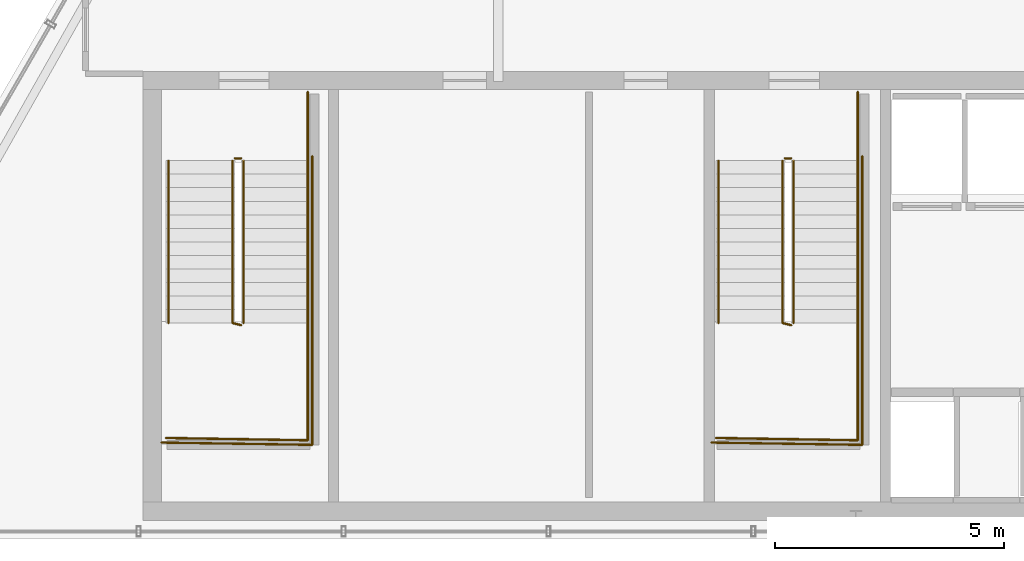
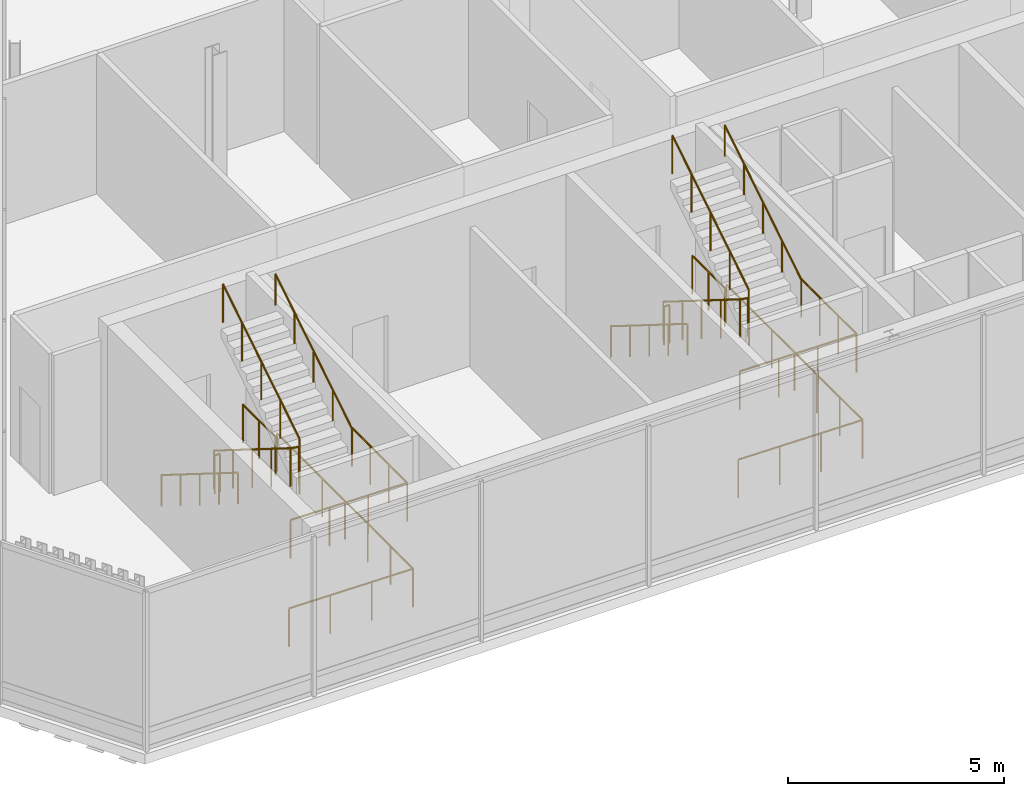
# One storey, part 23 of 25: 16 railings.
"""IFC4 building model written with IfcOpenShell, lengths in metres."""

import ifcopenshell
import ifcopenshell.guid

model = None  # the IFC model being written
_history = None  # IfcOwnerHistory: only IFC2X3 demands one
_inside = {}  # id of a spatial element -> (the spatial element, [elements in it])
_under = {}  # id of a project, library or spatial element -> (it, [spatial elements below it])
_declared = {}  # id of a project -> (the project, [libraries it declares])
_typed = {}  # id of a type object -> (the type object, [elements of that type])
_made_of = {}  # id of a material, layer set ... -> (it, [elements and type objects made of it])


def new_model(schema):
    """Start an empty IFC model of exactly this schema.

    Asked for "IFC4X3", IfcOpenShell would pick the latest addendum, in which some entities
    have other attributes; the version numbers below select the first issue.
    IFC2X3 requires an IfcOwnerHistory on every rooted entity: one is made here for all.
    """
    global model, _history
    if schema == "IFC4X3":
        model = ifcopenshell.file(schema_version=(4, 3, 0, 0))
    else:
        model = ifcopenshell.file(schema=schema)
    _inside.clear()
    _under.clear()
    _declared.clear()
    _typed.clear()
    _made_of.clear()
    _history = None
    if model.schema == "IFC2X3":
        org = make("IfcOrganization", Name="unknown")
        user = make(
            "IfcPersonAndOrganization",
            ThePerson=make("IfcPerson", FamilyName="unknown"),
            TheOrganization=org,
        )
        app = make(
            "IfcApplication",
            ApplicationDeveloper=org,
            Version="unknown",
            ApplicationFullName="unknown",
            ApplicationIdentifier="unknown",
        )
        _history = make(
            "IfcOwnerHistory",
            OwningUser=user,
            OwningApplication=app,
            ChangeAction="ADDED",
            CreationDate=0,
        )
    return model


def make(cls, **values):
    """One entity of the class cls with the attributes given. An attribute that is None is left unset."""
    return model.create_entity(
        cls, **{name: value for name, value in values.items() if value is not None}
    )


def rooted(cls, **values):
    """An entity with a GlobalId (a new one), such as an element, a storey or a relation."""
    return make(cls, GlobalId=ifcopenshell.guid.new(), OwnerHistory=_history, **values)


def si_unit(unit_type, name, prefix=None):
    """IfcSIUnit, for example si_unit("LENGTHUNIT", "METRE", prefix="MILLI")."""
    return make("IfcSIUnit", UnitType=unit_type, Prefix=prefix, Name=name)


def assignment(units):
    """IfcUnitAssignment: the units of a project."""
    return None if units is None else make("IfcUnitAssignment", Units=units)


def point(xyz):
    """IfcCartesianPoint."""
    return None if xyz is None else make("IfcCartesianPoint", Coordinates=xyz)


def direction(xyz):
    """IfcDirection."""
    return None if xyz is None else make("IfcDirection", DirectionRatios=xyz)


def frame(location, z_axis=None, x_axis=None):
    """IfcAxis2Placement3D, a coordinate frame: its origin and axes. An axis left out is left unset."""
    return make(
        "IfcAxis2Placement3D",
        Location=point(location),
        Axis=direction(z_axis),
        RefDirection=direction(x_axis),
    )


def frame_2d(location, x_axis=None):
    """IfcAxis2Placement2D, a coordinate frame in the plane: its origin and x axis."""
    return make(
        "IfcAxis2Placement2D", Location=point(location), RefDirection=direction(x_axis)
    )


def origin():
    """The frame at (0, 0, 0) with its axes left unset."""
    return frame((0.0, 0.0, 0.0))


def origin_2d():
    """The frame at (0, 0) in the plane with its x axis left unset."""
    return frame_2d((0.0, 0.0))


def place(relative_to, where):
    """IfcLocalPlacement: puts the frame where relative to a parent placement (None: the world)."""
    return make(
        "IfcLocalPlacement", PlacementRelTo=relative_to, RelativePlacement=where
    )


def context(
    kind, dimensions, precision=None, world=None, true_north=None, identifier=None
):
    """IfcGeometricRepresentationContext, for example the 3D "Model" context."""
    return make(
        "IfcGeometricRepresentationContext",
        ContextIdentifier=identifier,
        ContextType=kind,
        CoordinateSpaceDimension=dimensions,
        Precision=precision,
        WorldCoordinateSystem=world,
        TrueNorth=true_north,
    )


def subcontext(parent, identifier, kind, view, scale=None):
    """IfcGeometricRepresentationSubContext, for example "Body" below "Model"."""
    return make(
        "IfcGeometricRepresentationSubContext",
        ContextIdentifier=identifier,
        ContextType=kind,
        ParentContext=parent,
        TargetScale=scale,
        TargetView=view,
    )


def project(units=None, contexts=None):
    """IfcProject with its units and contexts."""
    return rooted(
        "IfcProject",
        Name="project",
        RepresentationContexts=contexts,
        UnitsInContext=assignment(units),
    )


def spatial(cls, under=None, at=None, **own):
    """A site, building, storey or space (cls), placed at a placement, below another one or the project."""
    s = rooted(cls, ObjectPlacement=at, **own)
    if under is not None:
        _under.setdefault(under.id(), (under, []))[1].append(s)
    return s


def profile(cls, at=None, kind="AREA", **sizes):
    """A parametric profile (cls). Its sizes go by their IFC names, for example OverallWidth=200.0."""
    return make(cls, ProfileType=kind, Position=at, **sizes)


def circle(**sizes):
    """IfcCircleProfileDef."""
    return profile("IfcCircleProfileDef", **sizes)


def extrude(swept, where, along, depth):
    """IfcExtrudedAreaSolid: the profile swept, set in the frame where, extruded along a direction by depth."""
    return make(
        "IfcExtrudedAreaSolid",
        SweptArea=swept,
        Position=where,
        ExtrudedDirection=direction(along),
        Depth=depth,
    )


def shape(context_of_items, identifier, shape_type, items):
    """IfcShapeRepresentation: the items that make up one representation, for example the "Body"."""
    return make(
        "IfcShapeRepresentation",
        ContextOfItems=context_of_items,
        RepresentationIdentifier=identifier,
        RepresentationType=shape_type,
        Items=items,
    )


def material(Name=None, Category=None):
    """IfcMaterial."""
    return make("IfcMaterial", Name=Name, Category=Category)


def layer(
    of_material, thickness, ventilated=None, Name=None, Category=None, Priority=None
):
    """IfcMaterialLayer: one layer of a wall or slab, of a material (None: an air gap)."""
    return make(
        "IfcMaterialLayer",
        Material=of_material,
        LayerThickness=thickness,
        IsVentilated=ventilated,
        Name=Name,
        Category=Category,
        Priority=Priority,
    )


def layer_set(layers, Name=None):
    """IfcMaterialLayerSet."""
    return make("IfcMaterialLayerSet", MaterialLayers=layers, LayerSetName=Name)


def made_of(thing, what):
    """Note that an element or type object is made of a material, layer set ...; save() writes the relation."""
    if what is not None:
        _made_of.setdefault(what.id(), (what, []))[1].append(thing)
    return thing


def type_object(cls, material=None, **own):
    """A type object (cls), such as IfcWallType, which elements share."""
    return made_of(rooted(cls, **own), material)


def element(
    cls,
    number,
    at=None,
    inside=None,
    cuts=None,
    type_object=None,
    material=None,
    context=None,
    identifier="Body",
    shape_type=None,
    held_by="IfcProductDefinitionShape",
    body=None,
    shapes=None,
    **own,
):
    """One element of the class cls, such as IfcWall. Its Tag is "e" and its number.

    at: its placement. inside: the storey or other place that contains it. cuts: it is an
    opening in that element (IfcRelVoidsElement). A single representation is given by context,
    identifier, shape_type and body (its items); several are given by shapes. held_by: the class
    of the entity that holds the representations. save() writes the other relations.
    """
    e = rooted(cls, Tag="e%d" % number, ObjectPlacement=at, **own)
    if body is not None:
        shapes = [shape(context, identifier, shape_type, body)]
    if shapes is not None:
        e.Representation = make(held_by, Representations=shapes)
    if inside is not None:
        _inside.setdefault(inside.id(), (inside, []))[1].append(e)
    if cuts is not None:
        rooted(
            "IfcRelVoidsElement", RelatingBuildingElement=cuts, RelatedOpeningElement=e
        )
    if type_object is not None:
        _typed.setdefault(type_object.id(), (type_object, []))[1].append(e)
    return made_of(e, material)


def aggregate(whole, parts):
    """IfcRelAggregates: a whole, such as a stair, and the parts it consists of."""
    return rooted("IfcRelAggregates", RelatingObject=whole, RelatedObjects=parts)


def save(model, path):
    """Write the relations noted so far, then the file.

    IfcRelAggregates (storeys below a building ...), IfcRelContainedInSpatialStructure (elements
    in a storey), IfcRelDefinesByType, IfcRelAssociatesMaterial and IfcRelDeclares: one each for
    every whole, place, type object, material and project.
    """
    for whole, parts in _under.values():
        aggregate(whole, parts)
    for where, things in _inside.values():
        rooted(
            "IfcRelContainedInSpatialStructure",
            RelatedElements=things,
            RelatingStructure=where,
        )
    for kind, things in _typed.values():
        rooted("IfcRelDefinesByType", RelatedObjects=things, RelatingType=kind)
    for what, things in _made_of.values():
        rooted("IfcRelAssociatesMaterial", RelatedObjects=things, RelatingMaterial=what)
    for by, libraries in _declared.values():
        rooted("IfcRelDeclares", RelatingContext=by, RelatedDefinitions=libraries)
    model.write(path)


model = new_model("IFC4")

# Units and contexts
model_context = context("Model", 3, precision=1e-05, world=origin(), true_north=direction((0.0, 1.0)))
body_context = subcontext(model_context, "Body", "Model", "MODEL_VIEW")
ifc_project = project(units=[si_unit("LENGTHUNIT", "METRE"), si_unit("AREAUNIT", "SQUARE_METRE"), si_unit("VOLUMEUNIT", "CUBIC_METRE"), si_unit("PLANEANGLEUNIT", "RADIAN"), si_unit("MASSUNIT", "GRAM", prefix="KILO")], contexts=[model_context])

# Site, building, storey
site_placement = place(None, origin())
site = spatial("IfcSite", under=ifc_project, at=site_placement, CompositionType="ELEMENT")
building_placement = place(site_placement, origin())
building = spatial("IfcBuilding", under=site, at=building_placement, Name="Ndaravel Arena Tower", CompositionType="ELEMENT")
storey_placement = place(building_placement, frame((0.0, 0.0, 298.5)))
storey = spatial("IfcBuildingStorey", under=building, at=storey_placement, Name="L73", CompositionType="ELEMENT", Elevation=298.5)

# Railings
ifc_material_1 = material(Name="Steel S355", Category="steel")
ifc_layer_1 = layer(ifc_material_1, 0.06005859375)
ifc_layer_set_1 = layer_set([ifc_layer_1], Name="Steel S355")
railing_type_1 = type_object("IfcRailingType", Name="RAIL-STAIR-GD1100", PredefinedType="GUARDRAIL", material=ifc_layer_set_1)
railing_1_placement = place(storey_placement, frame((28.39990234375, 13.25, 0.1845703125)))
element("IfcRailing", 1, at=railing_1_placement, inside=storey, type_object=railing_type_1, Name="L73 ST-1 stair guard 1", PredefinedType="GUARDRAIL", context=body_context, shape_type="SweptSolid", body=[
    extrude(circle(Radius=0.02392578125, at=origin_2d()), frame((0.0, 0.0, 1.076171875), z_axis=(0.0, -0.847696004112, 0.530482313194), x_axis=(1.0, 0.0, 0.0)), (0.0, 0.0, 1.0), 4.176025390625),
    extrude(circle(Radius=0.02392578125, at=origin_2d()), frame((0.0, -3.5400390625, 3.29150390625), z_axis=(0.967074537263, -0.25449329928, 0.0), x_axis=(0.25449329928, 0.967074537263, 0.0)), (0.0, 0.0, 1.0), 0.19677734375),
    extrude(circle(Radius=0.02099609375, at=origin_2d()), origin(), (0.0, 0.0, 1.0), 1.052001953125),
    extrude(circle(Radius=0.02099609375, at=origin_2d()), frame((0.0, -0.885009765625, 0.5537109375)), (0.0, 0.0, 1.0), 1.052001953125),
    extrude(circle(Radius=0.02099609375, at=origin_2d()), frame((0.0, -1.77001953125, 1.107666015625)), (0.0, 0.0, 1.0), 1.052001953125),
    extrude(circle(Radius=0.02099609375, at=origin_2d()), frame((0.0, -2.655029296875, 1.66162109375)), (0.0, 0.0, 1.0), 1.052001953125),
    extrude(circle(Radius=0.02099609375, at=origin_2d()), frame((0.0, -3.5400390625, 2.21533203125)), (0.0, 0.0, 1.0), 1.052001953125),
    extrude(circle(Radius=0.02099609375, at=origin_2d()), frame((0.190185546875, -3.590087890625, 2.21533203125)), (0.0, 0.0, 1.0), 1.052001953125),
])
railing_2_placement = place(storey_placement, frame((30.0400390625, 9.7099609375, 2.39990234375)))
element("IfcRailing", 2, at=railing_2_placement, inside=storey, type_object=railing_type_1, Name="L73 ST-1 stair guard 2", PredefinedType="GUARDRAIL", context=body_context, shape_type="SweptSolid", body=[
    extrude(circle(Radius=0.02392578125, at=origin_2d()), frame((0.0, 0.0, 1.076171875), z_axis=(0.0, -1.0, 0.0), x_axis=(1.0, 0.0, 0.0)), (0.0, 0.0, 1.0), 2.56005859375),
    extrude(circle(Radius=0.02392578125, at=origin_2d()), frame((0.0, -2.56005859375, 1.076171875), z_axis=(-0.999868861343, 0.016194447071, 0.0), x_axis=(-0.016194447071, -0.999868861343, 0.0)), (0.0, 0.0, 1.0), 3.090576171875),
    extrude(circle(Radius=0.02099609375, at=origin_2d()), origin(), (0.0, 0.0, 1.0), 1.052001953125),
    extrude(circle(Radius=0.02099609375, at=origin_2d()), frame((0.0, -0.853271484375, 0.0)), (0.0, 0.0, 1.0), 1.052001953125),
    extrude(circle(Radius=0.02099609375, at=origin_2d()), frame((0.0, -1.706787109375, 0.0)), (0.0, 0.0, 1.0), 1.052001953125),
    extrude(circle(Radius=0.02099609375, at=origin_2d()), frame((0.0, -2.56005859375, 0.0)), (0.0, 0.0, 1.0), 1.052001953125),
    extrude(circle(Radius=0.02099609375, at=origin_2d()), frame((-1.030029296875, -2.54345703125, 0.0)), (0.0, 0.0, 1.0), 1.052001953125),
    extrude(circle(Radius=0.02099609375, at=origin_2d()), frame((-2.06005859375, -2.526611328125, 0.0)), (0.0, 0.0, 1.0), 1.052001953125),
    extrude(circle(Radius=0.02099609375, at=origin_2d()), frame((-3.090087890625, -2.510009765625, 0.0)), (0.0, 0.0, 1.0), 1.052001953125),
])
railing_3_placement = place(storey_placement, frame((28.639892578125, 9.7099609375, 2.584716796875)))
element("IfcRailing", 3, at=railing_3_placement, inside=storey, type_object=railing_type_1, Name="L73 ST-1 stair guard 3", PredefinedType="GUARDRAIL", context=body_context, shape_type="SweptSolid", body=[
    extrude(circle(Radius=0.02392578125, at=origin_2d()), frame((0.0, 0.0, 1.076171875), z_axis=(0.0, 0.847696004112, 0.530482313194), x_axis=(-1.0, 0.0, 0.0)), (0.0, 0.0, 1.0), 4.176025390625),
    extrude(circle(Radius=0.02099609375, at=origin_2d()), origin(), (0.0, 0.0, 1.0), 1.052001953125),
    extrude(circle(Radius=0.02099609375, at=origin_2d()), frame((0.0, 0.885009765625, 0.5537109375)), (0.0, 0.0, 1.0), 1.052001953125),
    extrude(circle(Radius=0.02099609375, at=origin_2d()), frame((0.0, 1.77001953125, 1.107666015625)), (0.0, 0.0, 1.0), 1.052001953125),
    extrude(circle(Radius=0.02099609375, at=origin_2d()), frame((0.0, 2.655029296875, 1.66162109375)), (0.0, 0.0, 1.0), 1.052001953125),
    extrude(circle(Radius=0.02099609375, at=origin_2d()), frame((0.0, 3.5400390625, 2.21533203125)), (0.0, 0.0, 1.0), 1.052001953125),
])
railing_4_placement = place(storey_placement, frame((28.449951171875, 13.300048828125, 0.0)))
element("IfcRailing", 4, at=railing_4_placement, inside=storey, type_object=railing_type_1, Name="L73 ST-1 stair guard 4", PredefinedType="GUARDRAIL", context=body_context, shape_type="SweptSolid", body=[
    extrude(circle(Radius=0.02392578125, at=origin_2d()), frame((0.0, 0.0, 1.076171875), z_axis=(1.0, 0.0, 0.0), x_axis=(0.0, 1.0, 0.0)), (0.0, 0.0, 1.0), 0.14013671875),
    extrude(circle(Radius=0.02099609375, at=origin_2d()), origin(), (0.0, 0.0, 1.0), 1.052001953125),
    extrude(circle(Radius=0.02099609375, at=origin_2d()), frame((0.14013671875, 0.0, 0.0)), (0.0, 0.0, 1.0), 1.052001953125),
])
railing_5_placement = place(storey_placement, frame((30.0400390625, 14.75, 0.0)))
element("IfcRailing", 5, at=railing_5_placement, inside=storey, type_object=railing_type_1, Name="L73 ST-1 stair guard 5", PredefinedType="GUARDRAIL", context=body_context, shape_type="SweptSolid", body=[
    extrude(circle(Radius=0.02392578125, at=origin_2d()), frame((0.0, 0.0, 1.076171875), z_axis=(0.0, -1.0, 0.0), x_axis=(1.0, 0.0, 0.0)), (0.0, 0.0, 1.0), 1.5),
    extrude(circle(Radius=0.02099609375, at=origin_2d()), origin(), (0.0, 0.0, 1.0), 1.052001953125),
    extrude(circle(Radius=0.02099609375, at=origin_2d()), frame((0.0, -0.75, 0.0)), (0.0, 0.0, 1.0), 1.052001953125),
    extrude(circle(Radius=0.02099609375, at=origin_2d()), frame((0.0, -1.5, 0.0)), (0.0, 0.0, 1.0), 1.052001953125),
])
railing_6_placement = place(storey_placement, frame((30.139892578125, 13.35009765625, 0.0)))
element("IfcRailing", 6, at=railing_6_placement, inside=storey, type_object=railing_type_1, Name="L73 ST-1 stair guard 6", PredefinedType="GUARDRAIL", context=body_context, shape_type="SweptSolid", body=[
    extrude(circle(Radius=0.02392578125, at=origin_2d()), frame((0.0, 0.0, 1.076171875), z_axis=(0.0, -1.0, 0.0), x_axis=(1.0, 0.0, 0.0)), (0.0, 0.0, 1.0), 6.300048828125),
    extrude(circle(Radius=0.02392578125, at=origin_2d()), frame((0.0, -6.300048828125, 1.076171875), z_axis=(-0.999884296952, 0.015211597839, 0.0), x_axis=(-0.015211597839, -0.999884296952, 0.0)), (0.0, 0.0, 1.0), 3.290283203125),
    extrude(circle(Radius=0.02099609375, at=origin_2d()), origin(), (0.0, 0.0, 1.0), 1.052001953125),
    extrude(circle(Radius=0.02099609375, at=origin_2d()), frame((0.0, -1.050048828125, 0.0)), (0.0, 0.0, 1.0), 1.052001953125),
    extrude(circle(Radius=0.02099609375, at=origin_2d()), frame((0.0, -2.10009765625, 0.0)), (0.0, 0.0, 1.0), 1.052001953125),
    extrude(circle(Radius=0.02099609375, at=origin_2d()), frame((0.0, -3.14990234375, 0.0)), (0.0, 0.0, 1.0), 1.052001953125),
    extrude(circle(Radius=0.02099609375, at=origin_2d()), frame((0.0, -4.199951171875, 0.0)), (0.0, 0.0, 1.0), 1.052001953125),
    extrude(circle(Radius=0.02099609375, at=origin_2d()), frame((0.0, -5.25, 0.0)), (0.0, 0.0, 1.0), 1.052001953125),
    extrude(circle(Radius=0.02099609375, at=origin_2d()), frame((0.0, -6.300048828125, 0.0)), (0.0, 0.0, 1.0), 1.052001953125),
    extrude(circle(Radius=0.02099609375, at=origin_2d()), frame((-1.0966796875, -6.283447265625, 0.0)), (0.0, 0.0, 1.0), 1.052001953125),
    extrude(circle(Radius=0.02099609375, at=origin_2d()), frame((-2.193115234375, -6.2666015625, 0.0)), (0.0, 0.0, 1.0), 1.052001953125),
    extrude(circle(Radius=0.02099609375, at=origin_2d()), frame((-3.289794921875, -6.25, 0.0)), (0.0, 0.0, 1.0), 1.052001953125),
])
railing_7_placement = place(storey_placement, frame((40.39990234375, 13.25, 0.1845703125)))
element("IfcRailing", 7, at=railing_7_placement, inside=storey, type_object=railing_type_1, Name="L73 ST-2 stair guard 1", PredefinedType="GUARDRAIL", context=body_context, shape_type="SweptSolid", body=[
    extrude(circle(Radius=0.02392578125, at=origin_2d()), frame((0.0, 0.0, 1.076171875), z_axis=(0.0, -0.847696004112, 0.530482313194), x_axis=(1.0, 0.0, 0.0)), (0.0, 0.0, 1.0), 4.176025390625),
    extrude(circle(Radius=0.02392578125, at=origin_2d()), frame((0.0, -3.5400390625, 3.29150390625), z_axis=(0.967074537263, -0.25449329928, 0.0), x_axis=(0.25449329928, 0.967074537263, 0.0)), (0.0, 0.0, 1.0), 0.19677734375),
    extrude(circle(Radius=0.02099609375, at=origin_2d()), origin(), (0.0, 0.0, 1.0), 1.052001953125),
    extrude(circle(Radius=0.02099609375, at=origin_2d()), frame((0.0, -0.885009765625, 0.5537109375)), (0.0, 0.0, 1.0), 1.052001953125),
    extrude(circle(Radius=0.02099609375, at=origin_2d()), frame((0.0, -1.77001953125, 1.107666015625)), (0.0, 0.0, 1.0), 1.052001953125),
    extrude(circle(Radius=0.02099609375, at=origin_2d()), frame((0.0, -2.655029296875, 1.66162109375)), (0.0, 0.0, 1.0), 1.052001953125),
    extrude(circle(Radius=0.02099609375, at=origin_2d()), frame((0.0, -3.5400390625, 2.21533203125)), (0.0, 0.0, 1.0), 1.052001953125),
    extrude(circle(Radius=0.02099609375, at=origin_2d()), frame((0.190185546875, -3.590087890625, 2.21533203125)), (0.0, 0.0, 1.0), 1.052001953125),
])
railing_8_placement = place(storey_placement, frame((42.0400390625, 9.7099609375, 2.39990234375)))
element("IfcRailing", 8, at=railing_8_placement, inside=storey, type_object=railing_type_1, Name="L73 ST-2 stair guard 2", PredefinedType="GUARDRAIL", context=body_context, shape_type="SweptSolid", body=[
    extrude(circle(Radius=0.02392578125, at=origin_2d()), frame((0.0, 0.0, 1.076171875), z_axis=(0.0, -1.0, 0.0), x_axis=(1.0, 0.0, 0.0)), (0.0, 0.0, 1.0), 2.56005859375),
    extrude(circle(Radius=0.02392578125, at=origin_2d()), frame((0.0, -2.56005859375, 1.076171875), z_axis=(-0.999868861343, 0.016194447071, 0.0), x_axis=(-0.016194447071, -0.999868861343, 0.0)), (0.0, 0.0, 1.0), 3.090576171875),
    extrude(circle(Radius=0.02099609375, at=origin_2d()), origin(), (0.0, 0.0, 1.0), 1.052001953125),
    extrude(circle(Radius=0.02099609375, at=origin_2d()), frame((0.0, -0.853271484375, 0.0)), (0.0, 0.0, 1.0), 1.052001953125),
    extrude(circle(Radius=0.02099609375, at=origin_2d()), frame((0.0, -1.706787109375, 0.0)), (0.0, 0.0, 1.0), 1.052001953125),
    extrude(circle(Radius=0.02099609375, at=origin_2d()), frame((0.0, -2.56005859375, 0.0)), (0.0, 0.0, 1.0), 1.052001953125),
    extrude(circle(Radius=0.02099609375, at=origin_2d()), frame((-1.030029296875, -2.54345703125, 0.0)), (0.0, 0.0, 1.0), 1.052001953125),
    extrude(circle(Radius=0.02099609375, at=origin_2d()), frame((-2.06005859375, -2.526611328125, 0.0)), (0.0, 0.0, 1.0), 1.052001953125),
    extrude(circle(Radius=0.02099609375, at=origin_2d()), frame((-3.090087890625, -2.510009765625, 0.0)), (0.0, 0.0, 1.0), 1.052001953125),
])
railing_9_placement = place(storey_placement, frame((40.639892578125, 9.7099609375, 2.584716796875)))
element("IfcRailing", 9, at=railing_9_placement, inside=storey, type_object=railing_type_1, Name="L73 ST-2 stair guard 3", PredefinedType="GUARDRAIL", context=body_context, shape_type="SweptSolid", body=[
    extrude(circle(Radius=0.02392578125, at=origin_2d()), frame((0.0, 0.0, 1.076171875), z_axis=(0.0, 0.847696004112, 0.530482313194), x_axis=(-1.0, 0.0, 0.0)), (0.0, 0.0, 1.0), 4.176025390625),
    extrude(circle(Radius=0.02099609375, at=origin_2d()), origin(), (0.0, 0.0, 1.0), 1.052001953125),
    extrude(circle(Radius=0.02099609375, at=origin_2d()), frame((0.0, 0.885009765625, 0.5537109375)), (0.0, 0.0, 1.0), 1.052001953125),
    extrude(circle(Radius=0.02099609375, at=origin_2d()), frame((0.0, 1.77001953125, 1.107666015625)), (0.0, 0.0, 1.0), 1.052001953125),
    extrude(circle(Radius=0.02099609375, at=origin_2d()), frame((0.0, 2.655029296875, 1.66162109375)), (0.0, 0.0, 1.0), 1.052001953125),
    extrude(circle(Radius=0.02099609375, at=origin_2d()), frame((0.0, 3.5400390625, 2.21533203125)), (0.0, 0.0, 1.0), 1.052001953125),
])
railing_10_placement = place(storey_placement, frame((40.449951171875, 13.300048828125, 0.0)))
element("IfcRailing", 10, at=railing_10_placement, inside=storey, type_object=railing_type_1, Name="L73 ST-2 stair guard 4", PredefinedType="GUARDRAIL", context=body_context, shape_type="SweptSolid", body=[
    extrude(circle(Radius=0.02392578125, at=origin_2d()), frame((0.0, 0.0, 1.076171875), z_axis=(1.0, 0.0, 0.0), x_axis=(0.0, 1.0, 0.0)), (0.0, 0.0, 1.0), 0.14013671875),
    extrude(circle(Radius=0.02099609375, at=origin_2d()), origin(), (0.0, 0.0, 1.0), 1.052001953125),
    extrude(circle(Radius=0.02099609375, at=origin_2d()), frame((0.14013671875, 0.0, 0.0)), (0.0, 0.0, 1.0), 1.052001953125),
])
railing_11_placement = place(storey_placement, frame((42.0400390625, 14.75, 0.0)))
element("IfcRailing", 11, at=railing_11_placement, inside=storey, type_object=railing_type_1, Name="L73 ST-2 stair guard 5", PredefinedType="GUARDRAIL", context=body_context, shape_type="SweptSolid", body=[
    extrude(circle(Radius=0.02392578125, at=origin_2d()), frame((0.0, 0.0, 1.076171875), z_axis=(0.0, -1.0, 0.0), x_axis=(1.0, 0.0, 0.0)), (0.0, 0.0, 1.0), 1.5),
    extrude(circle(Radius=0.02099609375, at=origin_2d()), origin(), (0.0, 0.0, 1.0), 1.052001953125),
    extrude(circle(Radius=0.02099609375, at=origin_2d()), frame((0.0, -0.75, 0.0)), (0.0, 0.0, 1.0), 1.052001953125),
    extrude(circle(Radius=0.02099609375, at=origin_2d()), frame((0.0, -1.5, 0.0)), (0.0, 0.0, 1.0), 1.052001953125),
])
railing_12_placement = place(storey_placement, frame((42.139892578125, 13.35009765625, 0.0)))
element("IfcRailing", 12, at=railing_12_placement, inside=storey, type_object=railing_type_1, Name="L73 ST-2 stair guard 6", PredefinedType="GUARDRAIL", context=body_context, shape_type="SweptSolid", body=[
    extrude(circle(Radius=0.02392578125, at=origin_2d()), frame((0.0, 0.0, 1.076171875), z_axis=(0.0, -1.0, 0.0), x_axis=(1.0, 0.0, 0.0)), (0.0, 0.0, 1.0), 6.300048828125),
    extrude(circle(Radius=0.02392578125, at=origin_2d()), frame((0.0, -6.300048828125, 1.076171875), z_axis=(-0.999884296952, 0.015211597839, 0.0), x_axis=(-0.015211597839, -0.999884296952, 0.0)), (0.0, 0.0, 1.0), 3.290283203125),
    extrude(circle(Radius=0.02099609375, at=origin_2d()), origin(), (0.0, 0.0, 1.0), 1.052001953125),
    extrude(circle(Radius=0.02099609375, at=origin_2d()), frame((0.0, -1.050048828125, 0.0)), (0.0, 0.0, 1.0), 1.052001953125),
    extrude(circle(Radius=0.02099609375, at=origin_2d()), frame((0.0, -2.10009765625, 0.0)), (0.0, 0.0, 1.0), 1.052001953125),
    extrude(circle(Radius=0.02099609375, at=origin_2d()), frame((0.0, -3.14990234375, 0.0)), (0.0, 0.0, 1.0), 1.052001953125),
    extrude(circle(Radius=0.02099609375, at=origin_2d()), frame((0.0, -4.199951171875, 0.0)), (0.0, 0.0, 1.0), 1.052001953125),
    extrude(circle(Radius=0.02099609375, at=origin_2d()), frame((0.0, -5.25, 0.0)), (0.0, 0.0, 1.0), 1.052001953125),
    extrude(circle(Radius=0.02099609375, at=origin_2d()), frame((0.0, -6.300048828125, 0.0)), (0.0, 0.0, 1.0), 1.052001953125),
    extrude(circle(Radius=0.02099609375, at=origin_2d()), frame((-1.0966796875, -6.283447265625, 0.0)), (0.0, 0.0, 1.0), 1.052001953125),
    extrude(circle(Radius=0.02099609375, at=origin_2d()), frame((-2.193115234375, -6.2666015625, 0.0)), (0.0, 0.0, 1.0), 1.052001953125),
    extrude(circle(Radius=0.02099609375, at=origin_2d()), frame((-3.289794921875, -6.25, 0.0)), (0.0, 0.0, 1.0), 1.052001953125),
])
ifc_material_2 = material(Name="Steel S355", Category="steel")
ifc_layer_2 = layer(ifc_material_2, 0.050048828125)
ifc_layer_set_2 = layer_set([ifc_layer_2], Name="Steel S355")
railing_type_2 = type_object("IfcRailingType", Name="RAIL-STAIR-HR920", PredefinedType="HANDRAIL", material=ifc_layer_set_2)
railing_13_placement = place(storey_placement, frame((27.0, 13.25, 0.1845703125)))
element("IfcRailing", 13, at=railing_13_placement, inside=storey, type_object=railing_type_2, Name="L73 ST-1 stair handrail 1", PredefinedType="HANDRAIL", context=body_context, shape_type="SweptSolid", body=[
    extrude(circle(Radius=0.02392578125, at=origin_2d()), frame((0.0, 0.0, 0.8759765625), z_axis=(0.0, -0.847696004112, 0.530482313194), x_axis=(1.0, 0.0, 0.0)), (0.0, 0.0, 1.0), 4.176025390625),
    extrude(circle(Radius=0.02099609375, at=origin_2d()), origin(), (0.0, 0.0, 1.0), 0.851806640625),
    extrude(circle(Radius=0.02099609375, at=origin_2d()), frame((0.0, -0.885009765625, 0.5537109375)), (0.0, 0.0, 1.0), 0.851806640625),
    extrude(circle(Radius=0.02099609375, at=origin_2d()), frame((0.0, -1.77001953125, 1.107666015625)), (0.0, 0.0, 1.0), 0.851806640625),
    extrude(circle(Radius=0.02099609375, at=origin_2d()), frame((0.0, -2.655029296875, 1.66162109375)), (0.0, 0.0, 1.0), 0.851806640625),
    extrude(circle(Radius=0.02099609375, at=origin_2d()), frame((0.0, -3.5400390625, 2.21533203125)), (0.0, 0.0, 1.0), 0.851806640625),
])
railing_14_placement = place(storey_placement, frame((30.0400390625, 9.7099609375, 2.584716796875)))
element("IfcRailing", 14, at=railing_14_placement, inside=storey, type_object=railing_type_2, Name="L73 ST-1 stair handrail 2", PredefinedType="HANDRAIL", context=body_context, shape_type="SweptSolid", body=[
    extrude(circle(Radius=0.02392578125, at=origin_2d()), frame((0.0, 0.0, 0.8759765625), z_axis=(0.0, 0.847696004112, 0.530482313194), x_axis=(-1.0, 0.0, 0.0)), (0.0, 0.0, 1.0), 4.176025390625),
    extrude(circle(Radius=0.02099609375, at=origin_2d()), origin(), (0.0, 0.0, 1.0), 0.851806640625),
    extrude(circle(Radius=0.02099609375, at=origin_2d()), frame((0.0, 0.885009765625, 0.5537109375)), (0.0, 0.0, 1.0), 0.851806640625),
    extrude(circle(Radius=0.02099609375, at=origin_2d()), frame((0.0, 1.77001953125, 1.107666015625)), (0.0, 0.0, 1.0), 0.851806640625),
    extrude(circle(Radius=0.02099609375, at=origin_2d()), frame((0.0, 2.655029296875, 1.66162109375)), (0.0, 0.0, 1.0), 0.851806640625),
    extrude(circle(Radius=0.02099609375, at=origin_2d()), frame((0.0, 3.5400390625, 2.21533203125)), (0.0, 0.0, 1.0), 0.851806640625),
])
railing_15_placement = place(storey_placement, frame((39.0, 13.25, 0.1845703125)))
element("IfcRailing", 15, at=railing_15_placement, inside=storey, type_object=railing_type_2, Name="L73 ST-2 stair handrail 1", PredefinedType="HANDRAIL", context=body_context, shape_type="SweptSolid", body=[
    extrude(circle(Radius=0.02392578125, at=origin_2d()), frame((0.0, 0.0, 0.8759765625), z_axis=(0.0, -0.847696004112, 0.530482313194), x_axis=(1.0, 0.0, 0.0)), (0.0, 0.0, 1.0), 4.176025390625),
    extrude(circle(Radius=0.02099609375, at=origin_2d()), origin(), (0.0, 0.0, 1.0), 0.851806640625),
    extrude(circle(Radius=0.02099609375, at=origin_2d()), frame((0.0, -0.885009765625, 0.5537109375)), (0.0, 0.0, 1.0), 0.851806640625),
    extrude(circle(Radius=0.02099609375, at=origin_2d()), frame((0.0, -1.77001953125, 1.107666015625)), (0.0, 0.0, 1.0), 0.851806640625),
    extrude(circle(Radius=0.02099609375, at=origin_2d()), frame((0.0, -2.655029296875, 1.66162109375)), (0.0, 0.0, 1.0), 0.851806640625),
    extrude(circle(Radius=0.02099609375, at=origin_2d()), frame((0.0, -3.5400390625, 2.21533203125)), (0.0, 0.0, 1.0), 0.851806640625),
])
railing_16_placement = place(storey_placement, frame((42.0400390625, 9.7099609375, 2.584716796875)))
element("IfcRailing", 16, at=railing_16_placement, inside=storey, type_object=railing_type_2, Name="L73 ST-2 stair handrail 2", PredefinedType="HANDRAIL", context=body_context, shape_type="SweptSolid", body=[
    extrude(circle(Radius=0.02392578125, at=origin_2d()), frame((0.0, 0.0, 0.8759765625), z_axis=(0.0, 0.847696004112, 0.530482313194), x_axis=(-1.0, 0.0, 0.0)), (0.0, 0.0, 1.0), 4.176025390625),
    extrude(circle(Radius=0.02099609375, at=origin_2d()), origin(), (0.0, 0.0, 1.0), 0.851806640625),
    extrude(circle(Radius=0.02099609375, at=origin_2d()), frame((0.0, 0.885009765625, 0.5537109375)), (0.0, 0.0, 1.0), 0.851806640625),
    extrude(circle(Radius=0.02099609375, at=origin_2d()), frame((0.0, 1.77001953125, 1.107666015625)), (0.0, 0.0, 1.0), 0.851806640625),
    extrude(circle(Radius=0.02099609375, at=origin_2d()), frame((0.0, 2.655029296875, 1.66162109375)), (0.0, 0.0, 1.0), 0.851806640625),
    extrude(circle(Radius=0.02099609375, at=origin_2d()), frame((0.0, 3.5400390625, 2.21533203125)), (0.0, 0.0, 1.0), 0.851806640625),
])

save(model, "model.ifc")
